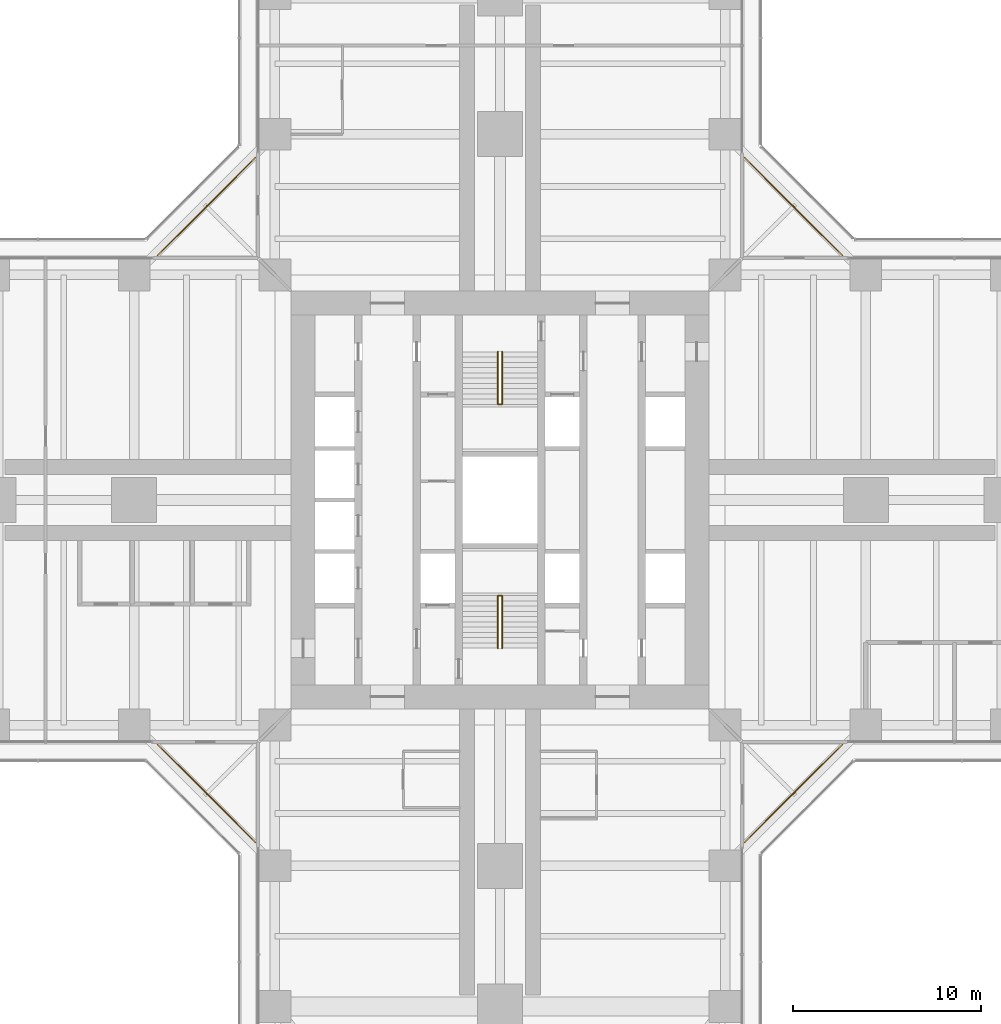
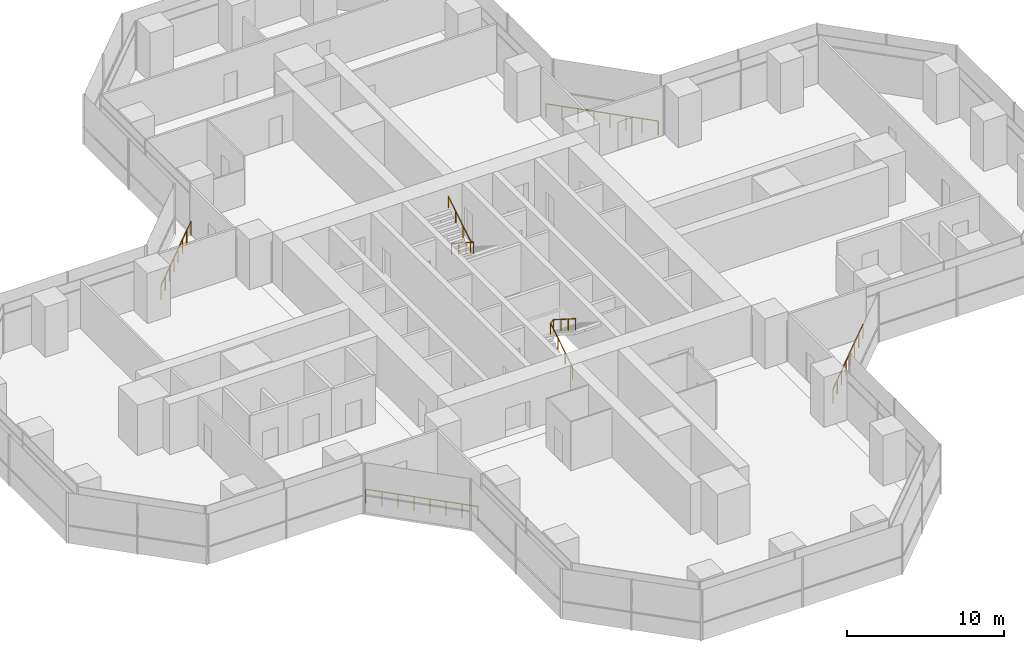
# One storey, part 22 of 22: 6 railings.
"""IFC4 building model written with IfcOpenShell, lengths in metres."""

import ifcopenshell
import ifcopenshell.guid

model = None  # the IFC model being written
_history = None  # IfcOwnerHistory: only IFC2X3 demands one
_inside = {}  # id of a spatial element -> (the spatial element, [elements in it])
_under = {}  # id of a project, library or spatial element -> (it, [spatial elements below it])
_declared = {}  # id of a project -> (the project, [libraries it declares])
_typed = {}  # id of a type object -> (the type object, [elements of that type])
_made_of = {}  # id of a material, layer set ... -> (it, [elements and type objects made of it])


def new_model(schema):
    """Start an empty IFC model of exactly this schema.

    Asked for "IFC4X3", IfcOpenShell would pick the latest addendum, in which some entities
    have other attributes; the version numbers below select the first issue.
    IFC2X3 requires an IfcOwnerHistory on every rooted entity: one is made here for all.
    """
    global model, _history
    if schema == "IFC4X3":
        model = ifcopenshell.file(schema_version=(4, 3, 0, 0))
    else:
        model = ifcopenshell.file(schema=schema)
    _inside.clear()
    _under.clear()
    _declared.clear()
    _typed.clear()
    _made_of.clear()
    _history = None
    if model.schema == "IFC2X3":
        org = make("IfcOrganization", Name="unknown")
        user = make(
            "IfcPersonAndOrganization",
            ThePerson=make("IfcPerson", FamilyName="unknown"),
            TheOrganization=org,
        )
        app = make(
            "IfcApplication",
            ApplicationDeveloper=org,
            Version="unknown",
            ApplicationFullName="unknown",
            ApplicationIdentifier="unknown",
        )
        _history = make(
            "IfcOwnerHistory",
            OwningUser=user,
            OwningApplication=app,
            ChangeAction="ADDED",
            CreationDate=0,
        )
    return model


def make(cls, **values):
    """One entity of the class cls with the attributes given. An attribute that is None is left unset."""
    return model.create_entity(
        cls, **{name: value for name, value in values.items() if value is not None}
    )


def rooted(cls, **values):
    """An entity with a GlobalId (a new one), such as an element, a storey or a relation."""
    return make(cls, GlobalId=ifcopenshell.guid.new(), OwnerHistory=_history, **values)


def si_unit(unit_type, name, prefix=None):
    """IfcSIUnit, for example si_unit("LENGTHUNIT", "METRE", prefix="MILLI")."""
    return make("IfcSIUnit", UnitType=unit_type, Prefix=prefix, Name=name)


def assignment(units):
    """IfcUnitAssignment: the units of a project."""
    return None if units is None else make("IfcUnitAssignment", Units=units)


def point(xyz):
    """IfcCartesianPoint."""
    return None if xyz is None else make("IfcCartesianPoint", Coordinates=xyz)


def direction(xyz):
    """IfcDirection."""
    return None if xyz is None else make("IfcDirection", DirectionRatios=xyz)


def frame(location, z_axis=None, x_axis=None):
    """IfcAxis2Placement3D, a coordinate frame: its origin and axes. An axis left out is left unset."""
    return make(
        "IfcAxis2Placement3D",
        Location=point(location),
        Axis=direction(z_axis),
        RefDirection=direction(x_axis),
    )


def frame_2d(location, x_axis=None):
    """IfcAxis2Placement2D, a coordinate frame in the plane: its origin and x axis."""
    return make(
        "IfcAxis2Placement2D", Location=point(location), RefDirection=direction(x_axis)
    )


def origin():
    """The frame at (0, 0, 0) with its axes left unset."""
    return frame((0.0, 0.0, 0.0))


def origin_2d():
    """The frame at (0, 0) in the plane with its x axis left unset."""
    return frame_2d((0.0, 0.0))


def place(relative_to, where):
    """IfcLocalPlacement: puts the frame where relative to a parent placement (None: the world)."""
    return make(
        "IfcLocalPlacement", PlacementRelTo=relative_to, RelativePlacement=where
    )


def context(
    kind, dimensions, precision=None, world=None, true_north=None, identifier=None
):
    """IfcGeometricRepresentationContext, for example the 3D "Model" context."""
    return make(
        "IfcGeometricRepresentationContext",
        ContextIdentifier=identifier,
        ContextType=kind,
        CoordinateSpaceDimension=dimensions,
        Precision=precision,
        WorldCoordinateSystem=world,
        TrueNorth=true_north,
    )


def subcontext(parent, identifier, kind, view, scale=None):
    """IfcGeometricRepresentationSubContext, for example "Body" below "Model"."""
    return make(
        "IfcGeometricRepresentationSubContext",
        ContextIdentifier=identifier,
        ContextType=kind,
        ParentContext=parent,
        TargetScale=scale,
        TargetView=view,
    )


def project(units=None, contexts=None):
    """IfcProject with its units and contexts."""
    return rooted(
        "IfcProject",
        Name="project",
        RepresentationContexts=contexts,
        UnitsInContext=assignment(units),
    )


def spatial(cls, under=None, at=None, **own):
    """A site, building, storey or space (cls), placed at a placement, below another one or the project."""
    s = rooted(cls, ObjectPlacement=at, **own)
    if under is not None:
        _under.setdefault(under.id(), (under, []))[1].append(s)
    return s


def profile(cls, at=None, kind="AREA", **sizes):
    """A parametric profile (cls). Its sizes go by their IFC names, for example OverallWidth=200.0."""
    return make(cls, ProfileType=kind, Position=at, **sizes)


def circle(**sizes):
    """IfcCircleProfileDef."""
    return profile("IfcCircleProfileDef", **sizes)


def extrude(swept, where, along, depth):
    """IfcExtrudedAreaSolid: the profile swept, set in the frame where, extruded along a direction by depth."""
    return make(
        "IfcExtrudedAreaSolid",
        SweptArea=swept,
        Position=where,
        ExtrudedDirection=direction(along),
        Depth=depth,
    )


def shape(context_of_items, identifier, shape_type, items):
    """IfcShapeRepresentation: the items that make up one representation, for example the "Body"."""
    return make(
        "IfcShapeRepresentation",
        ContextOfItems=context_of_items,
        RepresentationIdentifier=identifier,
        RepresentationType=shape_type,
        Items=items,
    )


def material(Name=None, Category=None):
    """IfcMaterial."""
    return make("IfcMaterial", Name=Name, Category=Category)


def made_of(thing, what):
    """Note that an element or type object is made of a material, layer set ...; save() writes the relation."""
    if what is not None:
        _made_of.setdefault(what.id(), (what, []))[1].append(thing)
    return thing


def type_object(cls, material=None, **own):
    """A type object (cls), such as IfcWallType, which elements share."""
    return made_of(rooted(cls, **own), material)


def element(
    cls,
    number,
    at=None,
    inside=None,
    cuts=None,
    type_object=None,
    material=None,
    context=None,
    identifier="Body",
    shape_type=None,
    held_by="IfcProductDefinitionShape",
    body=None,
    shapes=None,
    **own,
):
    """One element of the class cls, such as IfcWall. Its Tag is "e" and its number.

    at: its placement. inside: the storey or other place that contains it. cuts: it is an
    opening in that element (IfcRelVoidsElement). A single representation is given by context,
    identifier, shape_type and body (its items); several are given by shapes. held_by: the class
    of the entity that holds the representations. save() writes the other relations.
    """
    e = rooted(cls, Tag="e%d" % number, ObjectPlacement=at, **own)
    if body is not None:
        shapes = [shape(context, identifier, shape_type, body)]
    if shapes is not None:
        e.Representation = make(held_by, Representations=shapes)
    if inside is not None:
        _inside.setdefault(inside.id(), (inside, []))[1].append(e)
    if cuts is not None:
        rooted(
            "IfcRelVoidsElement", RelatingBuildingElement=cuts, RelatedOpeningElement=e
        )
    if type_object is not None:
        _typed.setdefault(type_object.id(), (type_object, []))[1].append(e)
    return made_of(e, material)


def aggregate(whole, parts):
    """IfcRelAggregates: a whole, such as a stair, and the parts it consists of."""
    return rooted("IfcRelAggregates", RelatingObject=whole, RelatedObjects=parts)


def save(model, path):
    """Write the relations noted so far, then the file.

    IfcRelAggregates (storeys below a building ...), IfcRelContainedInSpatialStructure (elements
    in a storey), IfcRelDefinesByType, IfcRelAssociatesMaterial and IfcRelDeclares: one each for
    every whole, place, type object, material and project.
    """
    for whole, parts in _under.values():
        aggregate(whole, parts)
    for where, things in _inside.values():
        rooted(
            "IfcRelContainedInSpatialStructure",
            RelatedElements=things,
            RelatingStructure=where,
        )
    for kind, things in _typed.values():
        rooted("IfcRelDefinesByType", RelatedObjects=things, RelatingType=kind)
    for what, things in _made_of.values():
        rooted("IfcRelAssociatesMaterial", RelatedObjects=things, RelatingMaterial=what)
    for by, libraries in _declared.values():
        rooted("IfcRelDeclares", RelatingContext=by, RelatedDefinitions=libraries)
    model.write(path)


model = new_model("IFC4")

# Units and contexts
model_context = context("Model", 3, precision=1e-05, world=origin(), true_north=direction((0.0, 1.0)))
body_context = subcontext(model_context, "Body", "Model", "MODEL_VIEW")
ifc_project = project(units=[si_unit("LENGTHUNIT", "METRE"), si_unit("AREAUNIT", "SQUARE_METRE"), si_unit("VOLUMEUNIT", "CUBIC_METRE"), si_unit("PLANEANGLEUNIT", "RADIAN"), si_unit("MASSUNIT", "GRAM", prefix="KILO")], contexts=[model_context])

# Site, building, storey
site_placement = place(None, origin())
site = spatial("IfcSite", under=ifc_project, at=site_placement, CompositionType="ELEMENT")
building_placement = place(site_placement, origin())
building = spatial("IfcBuilding", under=site, at=building_placement, Name="Mizan Broadcast Tower", CompositionType="ELEMENT")
storey_placement = place(building_placement, frame((0.0, 0.0, 51.300048828125)))
storey = spatial("IfcBuildingStorey", under=building, at=storey_placement, Name="L09", CompositionType="ELEMENT", Elevation=51.300048828125)

# Railings
ifc_material_1 = material(Name="Stainless steel and glass guard", Category="steel")
railing_type_1 = type_object("IfcRailingType", Name="GUARD 1100", PredefinedType="GUARDRAIL", material=ifc_material_1)
railing_1_placement = place(storey_placement, frame((18.2578125, 13.030029296875, 0.0)))
element("IfcRailing", 1, at=railing_1_placement, inside=storey, type_object=railing_type_1, Name="Winter garden guard L09 E", PredefinedType="GUARDRAIL", context=body_context, shape_type="SweptSolid", body=[
    extrude(circle(Radius=0.02392578125, at=origin_2d()), frame((0.0, 0.0, 1.076171875), z_axis=(-0.707106781187, 0.707106781187, 0.0), x_axis=(-0.707106781187, -0.707106781187, 0.0)), (0.0, 0.0, 1.0), 7.393310546875),
    extrude(circle(Radius=0.02099609375, at=origin_2d()), origin(), (0.0, 0.0, 1.0), 1.052001953125),
    extrude(circle(Radius=0.02099609375, at=origin_2d()), frame((-0.746826171875, 0.746826171875, 0.0)), (0.0, 0.0, 1.0), 1.052001953125),
    extrude(circle(Radius=0.02099609375, at=origin_2d()), frame((-1.49365234375, 1.49365234375, 0.0)), (0.0, 0.0, 1.0), 1.052001953125),
    extrude(circle(Radius=0.02099609375, at=origin_2d()), frame((-2.240478515625, 2.240478515625, 0.0)), (0.0, 0.0, 1.0), 1.052001953125),
    extrude(circle(Radius=0.02099609375, at=origin_2d()), frame((-2.9873046875, 2.9873046875, 0.0)), (0.0, 0.0, 1.0), 1.052001953125),
    extrude(circle(Radius=0.02099609375, at=origin_2d()), frame((-3.734130859375, 3.734130859375, 0.0)), (0.0, 0.0, 1.0), 1.052001953125),
    extrude(circle(Radius=0.02099609375, at=origin_2d()), frame((-4.48095703125, 4.48095703125, 0.0)), (0.0, 0.0, 1.0), 1.052001953125),
    extrude(circle(Radius=0.02099609375, at=origin_2d()), frame((-5.227783203125, 5.227783203125, 0.0)), (0.0, 0.0, 1.0), 1.052001953125),
])
railing_2_placement = place(storey_placement, frame((-13.030029296875, 18.2578125, 0.0)))
element("IfcRailing", 2, at=railing_2_placement, inside=storey, type_object=railing_type_1, Name="Winter garden guard L09 N", PredefinedType="GUARDRAIL", context=body_context, shape_type="SweptSolid", body=[
    extrude(circle(Radius=0.02392578125, at=origin_2d()), frame((0.0, 0.0, 1.076171875), z_axis=(-0.707106781187, -0.707106781187, 0.0), x_axis=(0.707106781187, -0.707106781187, 0.0)), (0.0, 0.0, 1.0), 7.393310546875),
    extrude(circle(Radius=0.02099609375, at=origin_2d()), origin(), (0.0, 0.0, 1.0), 1.052001953125),
    extrude(circle(Radius=0.02099609375, at=origin_2d()), frame((-0.746826171875, -0.746826171875, 0.0)), (0.0, 0.0, 1.0), 1.052001953125),
    extrude(circle(Radius=0.02099609375, at=origin_2d()), frame((-1.49365234375, -1.49365234375, 0.0)), (0.0, 0.0, 1.0), 1.052001953125),
    extrude(circle(Radius=0.02099609375, at=origin_2d()), frame((-2.240478515625, -2.240478515625, 0.0)), (0.0, 0.0, 1.0), 1.052001953125),
    extrude(circle(Radius=0.02099609375, at=origin_2d()), frame((-2.9873046875, -2.9873046875, 0.0)), (0.0, 0.0, 1.0), 1.052001953125),
    extrude(circle(Radius=0.02099609375, at=origin_2d()), frame((-3.734130859375, -3.734130859375, 0.0)), (0.0, 0.0, 1.0), 1.052001953125),
    extrude(circle(Radius=0.02099609375, at=origin_2d()), frame((-4.48095703125, -4.48095703125, 0.0)), (0.0, 0.0, 1.0), 1.052001953125),
    extrude(circle(Radius=0.02099609375, at=origin_2d()), frame((-5.227783203125, -5.227783203125, 0.0)), (0.0, 0.0, 1.0), 1.052001953125),
])
railing_3_placement = place(storey_placement, frame((-18.2578125, -13.030029296875, 0.0)))
element("IfcRailing", 3, at=railing_3_placement, inside=storey, type_object=railing_type_1, Name="Winter garden guard L09 W", PredefinedType="GUARDRAIL", context=body_context, shape_type="SweptSolid", body=[
    extrude(circle(Radius=0.02392578125, at=origin_2d()), frame((0.0, 0.0, 1.076171875), z_axis=(0.707106781187, -0.707106781187, 0.0), x_axis=(0.707106781187, 0.707106781187, 0.0)), (0.0, 0.0, 1.0), 7.393310546875),
    extrude(circle(Radius=0.02099609375, at=origin_2d()), origin(), (0.0, 0.0, 1.0), 1.052001953125),
    extrude(circle(Radius=0.02099609375, at=origin_2d()), frame((0.746826171875, -0.746826171875, 0.0)), (0.0, 0.0, 1.0), 1.052001953125),
    extrude(circle(Radius=0.02099609375, at=origin_2d()), frame((1.49365234375, -1.49365234375, 0.0)), (0.0, 0.0, 1.0), 1.052001953125),
    extrude(circle(Radius=0.02099609375, at=origin_2d()), frame((2.240478515625, -2.240478515625, 0.0)), (0.0, 0.0, 1.0), 1.052001953125),
    extrude(circle(Radius=0.02099609375, at=origin_2d()), frame((2.9873046875, -2.9873046875, 0.0)), (0.0, 0.0, 1.0), 1.052001953125),
    extrude(circle(Radius=0.02099609375, at=origin_2d()), frame((3.734130859375, -3.734130859375, 0.0)), (0.0, 0.0, 1.0), 1.052001953125),
    extrude(circle(Radius=0.02099609375, at=origin_2d()), frame((4.48095703125, -4.48095703125, 0.0)), (0.0, 0.0, 1.0), 1.052001953125),
    extrude(circle(Radius=0.02099609375, at=origin_2d()), frame((5.227783203125, -5.227783203125, 0.0)), (0.0, 0.0, 1.0), 1.052001953125),
])
railing_4_placement = place(storey_placement, frame((13.030029296875, -18.2578125, 0.0)))
element("IfcRailing", 4, at=railing_4_placement, inside=storey, type_object=railing_type_1, Name="Winter garden guard L09 S", PredefinedType="GUARDRAIL", context=body_context, shape_type="SweptSolid", body=[
    extrude(circle(Radius=0.02392578125, at=origin_2d()), frame((0.0, 0.0, 1.076171875), z_axis=(0.707106781187, 0.707106781187, 0.0), x_axis=(-0.707106781187, 0.707106781187, 0.0)), (0.0, 0.0, 1.0), 7.393310546875),
    extrude(circle(Radius=0.02099609375, at=origin_2d()), origin(), (0.0, 0.0, 1.0), 1.052001953125),
    extrude(circle(Radius=0.02099609375, at=origin_2d()), frame((0.746826171875, 0.746826171875, 0.0)), (0.0, 0.0, 1.0), 1.052001953125),
    extrude(circle(Radius=0.02099609375, at=origin_2d()), frame((1.49365234375, 1.49365234375, 0.0)), (0.0, 0.0, 1.0), 1.052001953125),
    extrude(circle(Radius=0.02099609375, at=origin_2d()), frame((2.240478515625, 2.240478515625, 0.0)), (0.0, 0.0, 1.0), 1.052001953125),
    extrude(circle(Radius=0.02099609375, at=origin_2d()), frame((2.9873046875, 2.9873046875, 0.0)), (0.0, 0.0, 1.0), 1.052001953125),
    extrude(circle(Radius=0.02099609375, at=origin_2d()), frame((3.734130859375, 3.734130859375, 0.0)), (0.0, 0.0, 1.0), 1.052001953125),
    extrude(circle(Radius=0.02099609375, at=origin_2d()), frame((4.48095703125, 4.48095703125, 0.0)), (0.0, 0.0, 1.0), 1.052001953125),
    extrude(circle(Radius=0.02099609375, at=origin_2d()), frame((5.227783203125, 5.227783203125, 0.0)), (0.0, 0.0, 1.0), 1.052001953125),
])
ifc_material_2 = material(Name="Stainless steel", Category="steel")
railing_type_2 = type_object("IfcRailingType", Name="HANDRAIL 50", PredefinedType="HANDRAIL", material=ifc_material_2)
railing_5_placement = place(storey_placement, frame((-0.110107421875, -7.89990234375, 0.17724609375)))
element("IfcRailing", 5, at=railing_5_placement, inside=storey, type_object=railing_type_2, Name="Stair A handrail", PredefinedType="HANDRAIL", context=body_context, shape_type="SweptSolid", body=[
    extrude(circle(Radius=0.02392578125, at=origin_2d()), frame((0.0, 0.0, 0.8759765625), z_axis=(0.0, 0.844887892834, 0.53494340686), x_axis=(-1.0, 0.0, 0.0)), (0.0, 0.0, 1.0), 3.313720703125),
    extrude(circle(Radius=0.02392578125, at=origin_2d()), frame((0.0, 2.7998046875, 2.6484375), z_axis=(0.779011685263, 0.0, 0.627009405212), x_axis=(0.0, 1.0, 0.0)), (0.0, 0.0, 1.0), 0.28271484375),
    extrude(circle(Radius=0.02392578125, at=origin_2d()), frame((0.22021484375, 2.7998046875, 2.82568359375), z_axis=(0.0, -0.844887892834, 0.53494340686), x_axis=(1.0, 0.0, 0.0)), (0.0, 0.0, 1.0), 3.313720703125),
    extrude(circle(Radius=0.02099609375, at=origin_2d()), origin(), (0.0, 0.0, 1.0), 0.851806640625),
    extrude(circle(Radius=0.02099609375, at=origin_2d()), frame((0.0, 0.933349609375, 0.5908203125)), (0.0, 0.0, 1.0), 0.851806640625),
    extrude(circle(Radius=0.02099609375, at=origin_2d()), frame((0.0, 1.866455078125, 1.181884765625)), (0.0, 0.0, 1.0), 0.851806640625),
    extrude(circle(Radius=0.02099609375, at=origin_2d()), frame((0.0, 2.7998046875, 1.772705078125)), (0.0, 0.0, 1.0), 0.851806640625),
    extrude(circle(Radius=0.02099609375, at=origin_2d()), frame((0.22021484375, 2.7998046875, 1.949951171875)), (0.0, 0.0, 1.0), 0.851806640625),
    extrude(circle(Radius=0.02099609375, at=origin_2d()), frame((0.22021484375, 1.866455078125, 2.540771484375)), (0.0, 0.0, 1.0), 0.851806640625),
    extrude(circle(Radius=0.02099609375, at=origin_2d()), frame((0.22021484375, 0.933349609375, 3.1318359375)), (0.0, 0.0, 1.0), 0.851806640625),
    extrude(circle(Radius=0.02099609375, at=origin_2d()), frame((0.22021484375, 0.0, 3.72265625)), (0.0, 0.0, 1.0), 0.851806640625),
])
railing_6_placement = place(storey_placement, frame((0.110107421875, 7.89990234375, 0.17724609375)))
element("IfcRailing", 6, at=railing_6_placement, inside=storey, type_object=railing_type_2, Name="Stair B handrail", PredefinedType="HANDRAIL", context=body_context, shape_type="SweptSolid", body=[
    extrude(circle(Radius=0.02392578125, at=origin_2d()), frame((0.0, 0.0, 0.8759765625), z_axis=(0.0, -0.844887892834, 0.53494340686), x_axis=(1.0, 0.0, 0.0)), (0.0, 0.0, 1.0), 3.313720703125),
    extrude(circle(Radius=0.02392578125, at=origin_2d()), frame((0.0, -2.7998046875, 2.6484375), z_axis=(-0.779011685263, 0.0, 0.627009405212), x_axis=(0.0, -1.0, 0.0)), (0.0, 0.0, 1.0), 0.28271484375),
    extrude(circle(Radius=0.02392578125, at=origin_2d()), frame((-0.22021484375, -2.7998046875, 2.82568359375), z_axis=(0.0, 0.844887892834, 0.53494340686), x_axis=(-1.0, 0.0, 0.0)), (0.0, 0.0, 1.0), 3.313720703125),
    extrude(circle(Radius=0.02099609375, at=origin_2d()), origin(), (0.0, 0.0, 1.0), 0.851806640625),
    extrude(circle(Radius=0.02099609375, at=origin_2d()), frame((0.0, -0.933349609375, 0.5908203125)), (0.0, 0.0, 1.0), 0.851806640625),
    extrude(circle(Radius=0.02099609375, at=origin_2d()), frame((0.0, -1.866455078125, 1.181884765625)), (0.0, 0.0, 1.0), 0.851806640625),
    extrude(circle(Radius=0.02099609375, at=origin_2d()), frame((0.0, -2.7998046875, 1.772705078125)), (0.0, 0.0, 1.0), 0.851806640625),
    extrude(circle(Radius=0.02099609375, at=origin_2d()), frame((-0.22021484375, -2.7998046875, 1.949951171875)), (0.0, 0.0, 1.0), 0.851806640625),
    extrude(circle(Radius=0.02099609375, at=origin_2d()), frame((-0.22021484375, -1.866455078125, 2.540771484375)), (0.0, 0.0, 1.0), 0.851806640625),
    extrude(circle(Radius=0.02099609375, at=origin_2d()), frame((-0.22021484375, -0.933349609375, 3.1318359375)), (0.0, 0.0, 1.0), 0.851806640625),
    extrude(circle(Radius=0.02099609375, at=origin_2d()), frame((-0.22021484375, 0.0, 3.72265625)), (0.0, 0.0, 1.0), 0.851806640625),
])

save(model, "model.ifc")
